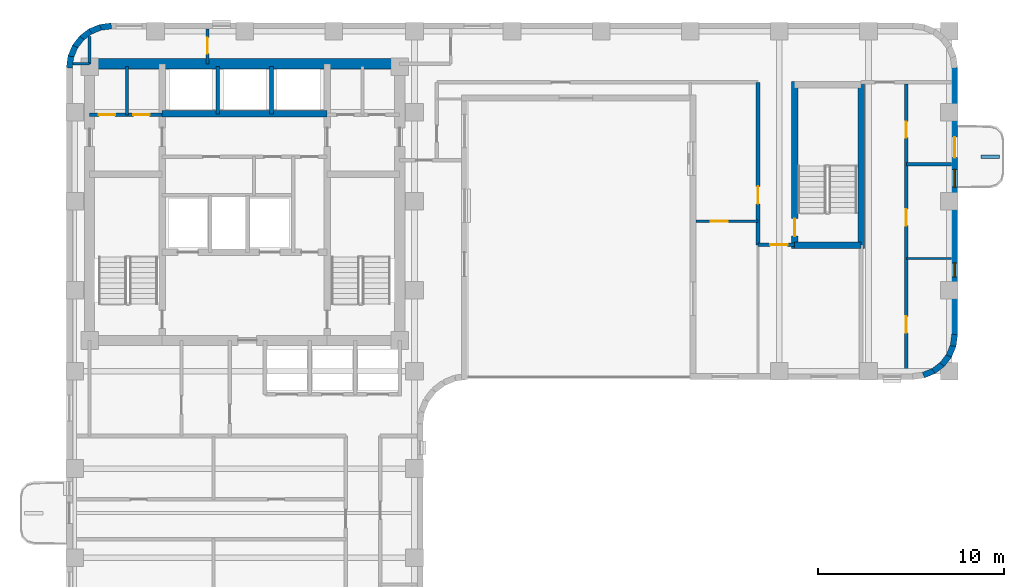
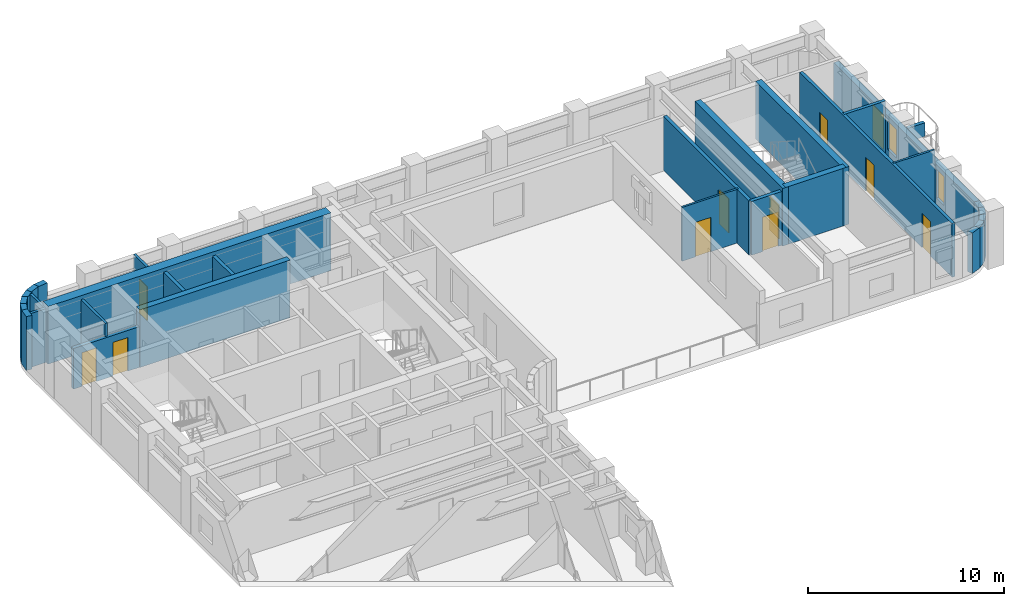
# One storey, part 5 of 9: 31 walls, 11 doors, 2 windows, 13 openings.
"""IFC4 building model written with IfcOpenShell, lengths in metres."""

from ifc_helpers import new_model, si_unit, direction, frame, frame_2d, origin, place, context, subcontext, project, spatial, rectangle, extrude, material, layer, layer_set, type_object, element, fill, save


model = new_model("IFC4")

# Units and contexts
model_context = context("Model", 3, precision=1e-05, world=origin(), true_north=direction((0.0, 1.0)))
body_context = subcontext(model_context, "Body", "Model", "MODEL_VIEW")
ifc_project = project(units=[si_unit("LENGTHUNIT", "METRE"), si_unit("AREAUNIT", "SQUARE_METRE"), si_unit("VOLUMEUNIT", "CUBIC_METRE"), si_unit("PLANEANGLEUNIT", "RADIAN"), si_unit("MASSUNIT", "GRAM", prefix="KILO")], contexts=[model_context])

# Site, building, storey
site_placement = place(None, origin())
site = spatial("IfcSite", under=ifc_project, at=site_placement, CompositionType="ELEMENT")
building_placement = place(site_placement, origin())
building = spatial("IfcBuilding", under=site, at=building_placement, Name="Orvandelia Arch Residences", CompositionType="ELEMENT")
storey_placement = place(building_placement, frame((0.0, 0.0, 154.0)))
storey = spatial("IfcBuildingStorey", under=building, at=storey_placement, Name="L40", CompositionType="ELEMENT", Elevation=154.0)

# Wall
ifc_material_1 = material(Name="Concrete C50/60", Category="concrete")
ifc_layer_1 = layer(ifc_material_1, 0.35009765625, Name="Concrete C50/60", Category="concrete")
ifc_layer_set_1 = layer_set([ifc_layer_1], Name="Concrete C50/60")
wall_type_1 = type_object("IfcWallType", Name="WL-CORE-350", PredefinedType="SHEAR", material=ifc_layer_set_1)
wall_1_placement = place(storey_placement, frame((9.9599609375, 43.10009765625, 0.0), z_axis=(0.0, 0.0, 1.0), x_axis=(1.0, 0.0, 0.0)))
element("IfcWall", 1, at=wall_1_placement, inside=storey, type_object=wall_type_1, Name="Core Shear Wall L40-HZ4", PredefinedType="SHEAR", context=body_context, shape_type="SweptSolid", body=[
    extrude(rectangle(XDim=8.880126953125, YDim=0.35009765625, at=frame_2d((4.43994140625, 0.0))), origin(), (0.0, 0.0, 1.0), 3.60009765625),
])

# Wall, opening, door
wall_2_placement = place(storey_placement, frame((44.02001953125, 35.864990234375, 0.0), z_axis=(0.0, 0.0, 1.0), x_axis=(0.0, 1.0, 0.0)))
wall_2 = element("IfcWall", 2, at=wall_2_placement, inside=storey, type_object=wall_type_1, Name="East Stair Core Shear Wall L40-W", PredefinedType="SHEAR", context=body_context, shape_type="SweptSolid", body=[
    extrude(rectangle(XDim=8.969970703125, YDim=0.35009765625, at=frame_2d((4.48486328125, 0.0))), origin(), (0.0, 0.0, 1.0), 3.60009765625),
])
opening_1_placement = place(wall_2_placement, frame((0.64990234375, 0.0, 0.0)))
opening_1 = element("IfcOpeningElement", 3, at=opening_1_placement, cuts=wall_2, Name="Opening D7", PredefinedType="OPENING", context=body_context, shape_type="SweptSolid", body=[
    extrude(rectangle(XDim=0.949951171875, YDim=2.10009765625, at=frame_2d((0.47509765625, 1.050048828125))), frame((0.0, 0.18505859375, 0.0), z_axis=(0.0, -1.0, 0.0), x_axis=(1.0, 0.0, 0.0)), (0.0, 0.0, 1.0), 0.3701171875),
])
ifc_material_2 = material(Name="Pressurised Stairwell Fire Door")
door_type_1 = type_object("IfcDoorType", Name="DR-STAIR-950", OperationType="NOTDEFINED", PredefinedType="DOOR", material=ifc_material_2)
door_1_placement = place(opening_1_placement, origin())
door_1 = element("IfcDoor", 4, at=door_1_placement, inside=storey, type_object=door_type_1, Name="East Stairwell ST-3 Fire Door L40", OperationType="SINGLE_SWING_LEFT", OverallHeight=2.10009765625, OverallWidth=0.949951171875, PredefinedType="DOOR", context=body_context, shape_type="SweptSolid", body=[
    extrude(rectangle(XDim=0.949951171875, YDim=2.10009765625, at=frame_2d((0.47509765625, 1.050048828125))), frame((0.0, 0.02490234375, 0.0), z_axis=(0.0, -1.0, 0.0), x_axis=(1.0, 0.0, 0.0)), (0.0, 0.0, 1.0), 0.050048828125),
])
fill(opening_1, door_1)

# Walls
wall_3_placement = place(storey_placement, frame((47.60009765625, 35.864990234375, 0.0), z_axis=(0.0, 0.0, 1.0), x_axis=(0.0, 1.0, 0.0)))
element("IfcWall", 5, at=wall_3_placement, inside=storey, type_object=wall_type_1, Name="East Stair Core Shear Wall L40-E", PredefinedType="SHEAR", context=body_context, shape_type="SweptSolid", body=[
    extrude(rectangle(XDim=8.969970703125, YDim=0.35009765625, at=frame_2d((4.48486328125, 0.0))), origin(), (0.0, 0.0, 1.0), 3.60009765625),
])
wall_4_placement = place(storey_placement, frame((44.02001953125, 36.0400390625, 0.0), z_axis=(0.0, 0.0, 1.0), x_axis=(1.0, 0.0, 0.0)))
element("IfcWall", 6, at=wall_4_placement, inside=storey, type_object=wall_type_1, Name="East Stair Core Shear Wall L40-S", PredefinedType="SHEAR", context=body_context, shape_type="SweptSolid", body=[
    extrude(rectangle(XDim=3.580078125, YDim=0.35009765625, at=frame_2d((1.7900390625, 0.0))), origin(), (0.0, 0.0, 1.0), 3.60009765625),
])
ifc_material_3 = material(Name="Concrete C60/75", Category="concrete")
ifc_layer_2 = layer(ifc_material_3, 0.550048828125, Name="Concrete C60/75", Category="concrete")
ifc_layer_set_2 = layer_set([ifc_layer_2], Name="Concrete C60/75")
wall_type_2 = type_object("IfcWallType", Name="WL-CORE-550", PredefinedType="SHEAR", material=ifc_layer_set_2)
wall_5_placement = place(storey_placement, frame((6.050048828125, 45.800048828125, 0.0), z_axis=(0.0, 0.0, 1.0), x_axis=(1.0, 0.0, 0.0)))
element("IfcWall", 7, at=wall_5_placement, inside=storey, type_object=wall_type_2, Name="Core Shear Wall L40-N", PredefinedType="SHEAR", context=body_context, shape_type="SweptSolid", body=[
    extrude(rectangle(XDim=16.699951171875, YDim=0.550048828125, at=frame_2d((8.35009765625, 0.0))), origin(), (0.0, 0.0, 1.0), 3.60009765625),
])

# Wall, opening, door
ifc_material_4 = material(Name="Fire-Rated Corridor Partition")
ifc_layer_3 = layer(ifc_material_4, 0.199951171875, Name="Fire-Rated Corridor Partition")
ifc_layer_set_3 = layer_set([ifc_layer_3], Name="Fire-Rated Corridor Partition")
wall_type_3 = type_object("IfcWallType", Name="WL-CORR-200", PredefinedType="PARTITIONING", material=ifc_layer_set_3)
wall_6_placement = place(storey_placement, frame((42.050048828125, 36.050048828125, 0.0), z_axis=(0.0, 0.0, 1.0), x_axis=(0.0, 1.0, 0.0)))
wall_6 = element("IfcWall", 8, at=wall_6_placement, inside=storey, type_object=wall_type_3, Name="Interior Partition Wall WL-L40-ENP-SW", PredefinedType="PARTITIONING", context=body_context, shape_type="SweptSolid", body=[
    extrude(rectangle(XDim=8.75, YDim=0.199951171875, at=frame_2d((4.375, 0.0))), origin(), (0.0, 0.0, 1.0), 3.360107421875),
])
opening_2_placement = place(wall_6_placement, frame((2.199951171875, 0.0, 0.0)))
opening_2 = element("IfcOpeningElement", 9, at=opening_2_placement, cuts=wall_6, Name="Opening D2", PredefinedType="OPENING", context=body_context, shape_type="SweptSolid", body=[
    extrude(rectangle(XDim=0.949951171875, YDim=2.14990234375, at=frame_2d((0.47509765625, 1.074951171875))), frame((0.0, 0.10986328125, 0.0), z_axis=(0.0, -1.0, 0.0), x_axis=(1.0, 0.0, 0.0)), (0.0, 0.0, 1.0), 0.219970703125),
])
ifc_material_5 = material(Name="Solid-Core Timber Interior Fire Door", Category="wood")
door_type_2 = type_object("IfcDoorType", Name="DR-APT-950", OperationType="NOTDEFINED", PredefinedType="DOOR", material=ifc_material_5)
door_2_placement = place(opening_2_placement, origin())
door_2 = element("IfcDoor", 10, at=door_2_placement, inside=storey, type_object=door_type_2, Name="DR-L40-VPE1", OperationType="SINGLE_SWING_LEFT", OverallHeight=2.14990234375, OverallWidth=0.949951171875, PredefinedType="DOOR", context=body_context, shape_type="SweptSolid", body=[
    extrude(rectangle(XDim=0.949951171875, YDim=2.14990234375, at=frame_2d((0.47509765625, 1.074951171875))), frame((0.0, 0.02490234375, 0.0), z_axis=(0.0, -1.0, 0.0), x_axis=(1.0, 0.0, 0.0)), (0.0, 0.0, 1.0), 0.050048828125),
])
fill(opening_2, door_2)

wall_7_placement = place(storey_placement, frame((42.050048828125, 36.050048828125, 0.0), z_axis=(0.0, 0.0, 1.0), x_axis=(1.0, 0.0, 0.0)))
wall_7 = element("IfcWall", 11, at=wall_7_placement, inside=storey, type_object=wall_type_3, Name="Interior Partition Wall WL-L40-ENP-SS", PredefinedType="PARTITIONING", context=body_context, shape_type="SweptSolid", body=[
    extrude(rectangle(XDim=1.969970703125, YDim=0.199951171875, at=frame_2d((0.98486328125, 0.0))), origin(), (0.0, 0.0, 1.0), 3.360107421875),
])
opening_3_placement = place(wall_7_placement, frame((0.64990234375, 0.0, 0.0)))
opening_3 = element("IfcOpeningElement", 12, at=opening_3_placement, cuts=wall_7, Name="Opening D2", PredefinedType="OPENING", context=body_context, shape_type="SweptSolid", body=[
    extrude(rectangle(XDim=0.949951171875, YDim=2.14990234375, at=frame_2d((0.47509765625, 1.074951171875))), frame((0.0, 0.10986328125, 0.0), z_axis=(0.0, -1.0, 0.0), x_axis=(1.0, 0.0, 0.0)), (0.0, 0.0, 1.0), 0.219970703125),
])
door_3_placement = place(opening_3_placement, origin())
door_3 = element("IfcDoor", 13, at=door_3_placement, inside=storey, type_object=door_type_2, Name="DR-L40-VPS3", OperationType="SINGLE_SWING_LEFT", OverallHeight=2.14990234375, OverallWidth=0.949951171875, PredefinedType="DOOR", context=body_context, shape_type="SweptSolid", body=[
    extrude(rectangle(XDim=0.949951171875, YDim=2.14990234375, at=frame_2d((0.47509765625, 1.074951171875))), frame((0.0, 0.02490234375, 0.0), z_axis=(0.0, -1.0, 0.0), x_axis=(1.0, 0.0, 0.0)), (0.0, 0.0, 1.0), 0.050048828125),
])
fill(opening_3, door_3)

# Walls
ifc_material_6 = material(Name="Precast concrete C40/50", Category="concrete")
ifc_layer_4 = layer(ifc_material_6, 0.320068359375, Name="Precast concrete C40/50", Category="concrete")
ifc_layer_set_4 = layer_set([ifc_layer_4], Name="Precast concrete C40/50")
wall_type_4 = type_object("IfcWallType", Name="WL-EXT-STONE-320", PredefinedType="STANDARD", material=ifc_layer_set_4)
for number, where, z_axis, x_axis, name in (
    (14, (4.95849609375, 45.5791015625, 0.0), (0.0, 0.0, 1.0), (0.130555323746, 0.9914410257, 0.0), "Coral-Limestone Precast Facade Wall L40-001"),
    (15, (5.029541015625, 46.159912109375, 0.0), (0.0, 0.0, 1.0), (0.382650053678, 0.92389335771, 0.0), "Coral-Limestone Precast Facade Wall L40-002"),
):
    element("IfcWall", number, at=place(storey_placement, frame(where, z_axis=z_axis, x_axis=x_axis)), inside=storey, type_object=wall_type_4, Name=name, PredefinedType="STANDARD", context=body_context, shape_type="SweptSolid", body=[
        extrude(rectangle(XDim=0.62646484375, YDim=0.320068359375, at=frame_2d((0.313232421875, 0.0))), origin(), (0.0, 0.0, 1.0), 3.360107421875),
    ])
wall_8_placement = place(storey_placement, frame((5.248291015625, 46.70263671875, 0.0), z_axis=(0.0, 0.0, 1.0), x_axis=(0.608938521285, 0.7932174212, 0.0)))
element("IfcWall", 16, at=wall_8_placement, inside=storey, type_object=wall_type_4, Name="Coral-Limestone Precast Facade Wall L40-003", PredefinedType="STANDARD", context=body_context, shape_type="SweptSolid", body=[
    extrude(rectangle(XDim=0.626708984375, YDim=0.320068359375, at=frame_2d((0.3134765625, 0.0))), origin(), (0.0, 0.0, 1.0), 3.360107421875),
])
wall_9_placement = place(storey_placement, frame((5.600341796875, 47.170166015625, 0.0), z_axis=(0.0, 0.0, 1.0), x_axis=(0.793405610854, 0.608693302629, 0.0)))
element("IfcWall", 17, at=wall_9_placement, inside=storey, type_object=wall_type_4, Name="Coral-Limestone Precast Facade Wall L40-004", PredefinedType="STANDARD", context=body_context, shape_type="SweptSolid", body=[
    extrude(rectangle(XDim=0.62646484375, YDim=0.320068359375, at=frame_2d((0.313232421875, 0.0))), origin(), (0.0, 0.0, 1.0), 3.360107421875),
])
wall_10_placement = place(storey_placement, frame((6.061279296875, 47.53076171875, 0.0), z_axis=(0.0, 0.0, 1.0), x_axis=(0.923836271867, 0.382787856107, 0.0)))
element("IfcWall", 18, at=wall_10_placement, inside=storey, type_object=wall_type_4, Name="Coral-Limestone Precast Facade Wall L40-005", PredefinedType="STANDARD", context=body_context, shape_type="SweptSolid", body=[
    extrude(rectangle(XDim=0.626220703125, YDim=0.320068359375, at=frame_2d((0.31298828125, 0.0))), origin(), (0.0, 0.0, 1.0), 3.360107421875),
])
wall_11_placement = place(storey_placement, frame((6.599609375, 47.759521484375, 0.0), z_axis=(0.0, 0.0, 1.0), x_axis=(0.991447664465, 0.130504898859, 0.0)))
element("IfcWall", 19, at=wall_11_placement, inside=storey, type_object=wall_type_4, Name="Coral-Limestone Precast Facade Wall L40-006", PredefinedType="STANDARD", context=body_context, shape_type="SweptSolid", body=[
    extrude(rectangle(XDim=0.626708984375, YDim=0.320068359375, at=frame_2d((0.3134765625, 0.0))), origin(), (0.0, 0.0, 1.0), 3.360107421875),
])

# Wall, openings, door, windows
wall_12_placement = place(storey_placement, frame((52.639892578125, 45.60009765625, 0.0), z_axis=(0.0, 0.0, 1.0), x_axis=(0.0, -1.0, 0.0)))
wall_12 = element("IfcWall", 20, at=wall_12_placement, inside=storey, type_object=wall_type_4, Name="Coral-Limestone Precast Facade Wall L40-014", PredefinedType="STANDARD", context=body_context, shape_type="SweptSolid", body=[
    extrude(rectangle(XDim=14.400146484375, YDim=0.320068359375, at=frame_2d((7.2001953125, 0.0))), origin(), (0.0, 0.0, 1.0), 2.5400390625),
])
opening_4_placement = place(wall_12_placement, frame((3.75, 0.0, 0.0)))
opening_4 = element("IfcOpeningElement", 21, at=opening_4_placement, cuts=wall_12, Name="Opening BD1", PredefinedType="OPENING", context=body_context, shape_type="SweptSolid", body=[
    extrude(rectangle(XDim=1.10009765625, YDim=2.14990234375, at=frame_2d((0.550048828125, 1.074951171875))), frame((0.0, 0.169921875, 0.0), z_axis=(0.0, -1.0, 0.0), x_axis=(1.0, 0.0, 0.0)), (0.0, 0.0, 1.0), 0.340087890625),
])
opening_5_placement = place(wall_12_placement, frame((10.51953125, 0.0, 0.449951171875)))
opening_5 = element("IfcOpeningElement", 22, at=opening_5_placement, cuts=wall_12, Name="Opening W11", PredefinedType="OPENING", context=body_context, shape_type="SweptSolid", body=[
    extrude(rectangle(XDim=0.75, YDim=1.800048828125, at=frame_2d((0.375, 0.89990234375))), frame((0.0, 0.169921875, 0.0), z_axis=(0.0, -1.0, 0.0), x_axis=(1.0, 0.0, 0.0)), (0.0, 0.0, 1.0), 0.340087890625),
])
opening_6_placement = place(wall_12_placement, frame((5.486083984375, 0.0, 0.449951171875)))
opening_6 = element("IfcOpeningElement", 23, at=opening_6_placement, cuts=wall_12, Name="Opening W4", PredefinedType="OPENING", context=body_context, shape_type="SweptSolid", body=[
    extrude(rectangle(XDim=0.949951171875, YDim=1.800048828125, at=frame_2d((0.47509765625, 0.89990234375))), frame((0.0, 0.169921875, 0.0), z_axis=(0.0, -1.0, 0.0), x_axis=(1.0, 0.0, 0.0)), (0.0, 0.0, 1.0), 0.340087890625),
])
ifc_material_7 = material(Name="Thermally Broken Aluminium Glazed Door", Category="aluminium")
door_type_3 = type_object("IfcDoorType", Name="DR-BAL-GLAZ-1100", OperationType="NOTDEFINED", PredefinedType="DOOR", material=ifc_material_7)
door_4_placement = place(opening_4_placement, origin())
door_4 = element("IfcDoor", 24, at=door_4_placement, inside=storey, type_object=door_type_3, Name="Tree Balcony Glazed Door BAL-L40-E1", OperationType="SINGLE_SWING_LEFT", OverallHeight=2.14990234375, OverallWidth=1.10009765625, PredefinedType="DOOR", context=body_context, shape_type="SweptSolid", body=[
    extrude(rectangle(XDim=1.10009765625, YDim=2.14990234375, at=frame_2d((0.550048828125, 1.074951171875))), frame((0.0, 0.02490234375, 0.0), z_axis=(0.0, -1.0, 0.0), x_axis=(1.0, 0.0, 0.0)), (0.0, 0.0, 1.0), 0.050048828125),
])
fill(opening_4, door_4)
ifc_material_8 = material(Name="Tempered Low-E Insulated Glazing", Category="glass")
window_type_1 = type_object("IfcWindowType", Name="WIN-BED-0750x1800", PartitioningType="SINGLE_PANEL", PredefinedType="WINDOW", material=ifc_material_8)
window_1_placement = place(opening_5_placement, origin())
window_1 = element("IfcWindow", 25, at=window_1_placement, inside=storey, type_object=window_type_1, Name="Recessed Punched Window L40-004", OverallHeight=1.800048828125, OverallWidth=0.75, PartitioningType="SINGLE_PANEL", PredefinedType="WINDOW", context=body_context, shape_type="SweptSolid", body=[
    extrude(rectangle(XDim=0.75, YDim=1.800048828125, at=frame_2d((0.375, 0.89990234375))), frame((0.0, 0.030029296875, 0.0), z_axis=(0.0, -1.0, 0.0), x_axis=(1.0, 0.0, 0.0)), (0.0, 0.0, 1.0), 0.06005859375),
])
fill(opening_5, window_1)
window_type_2 = type_object("IfcWindowType", Name="WIN-RES-0950x1800", PartitioningType="SINGLE_PANEL", PredefinedType="WINDOW", material=ifc_material_8)
window_2_placement = place(opening_6_placement, origin())
window_2 = element("IfcWindow", 26, at=window_2_placement, inside=storey, type_object=window_type_2, Name="Recessed Punched Window L40-005", OverallHeight=1.800048828125, OverallWidth=0.949951171875, PartitioningType="SINGLE_PANEL", PredefinedType="WINDOW", context=body_context, shape_type="SweptSolid", body=[
    extrude(rectangle(XDim=0.949951171875, YDim=1.800048828125, at=frame_2d((0.47509765625, 0.89990234375))), frame((0.0, 0.030029296875, 0.0), z_axis=(0.0, -1.0, 0.0), x_axis=(1.0, 0.0, 0.0)), (0.0, 0.0, 1.0), 0.06005859375),
])
fill(opening_6, window_2)

# Walls
wall_13_placement = place(storey_placement, frame((52.641357421875, 31.220947265625, 0.0), z_axis=(0.0, 0.0, 1.0), x_axis=(-0.130504898859, -0.991447664465, 0.0)))
element("IfcWall", 27, at=wall_13_placement, inside=storey, type_object=wall_type_4, Name="Coral-Limestone Precast Facade Wall L40-015", PredefinedType="STANDARD", context=body_context, shape_type="SweptSolid", body=[
    extrude(rectangle(XDim=0.626708984375, YDim=0.320068359375, at=frame_2d((0.3134765625, 0.0))), origin(), (0.0, 0.0, 1.0), 2.5400390625),
])
wall_14_placement = place(storey_placement, frame((52.5703125, 30.639892578125, 0.0), z_axis=(0.0, 0.0, 1.0), x_axis=(-0.382455093999, -0.923974080304, 0.0)))
element("IfcWall", 28, at=wall_14_placement, inside=storey, type_object=wall_type_4, Name="Coral-Limestone Precast Facade Wall L40-016", PredefinedType="STANDARD", context=body_context, shape_type="SweptSolid", body=[
    extrude(rectangle(XDim=0.626220703125, YDim=0.320068359375, at=frame_2d((0.31298828125, 0.0))), origin(), (0.0, 0.0, 1.0), 2.5400390625),
])
wall_15_placement = place(storey_placement, frame((52.3515625, 30.097412109375, 0.0), z_axis=(0.0, 0.0, 1.0), x_axis=(-0.608693302629, -0.793405610854, 0.0)))
element("IfcWall", 29, at=wall_15_placement, inside=storey, type_object=wall_type_4, Name="Coral-Limestone Precast Facade Wall L40-017", PredefinedType="STANDARD", context=body_context, shape_type="SweptSolid", body=[
    extrude(rectangle(XDim=0.62646484375, YDim=0.320068359375, at=frame_2d((0.313232421875, 0.0))), origin(), (0.0, 0.0, 1.0), 2.5400390625),
])
wall_16_placement = place(storey_placement, frame((51.999755859375, 29.6298828125, 0.0), z_axis=(0.0, 0.0, 1.0), x_axis=(-0.7932174212, -0.608938521285, 0.0)))
element("IfcWall", 30, at=wall_16_placement, inside=storey, type_object=wall_type_4, Name="Coral-Limestone Precast Facade Wall L40-018", PredefinedType="STANDARD", context=body_context, shape_type="SweptSolid", body=[
    extrude(rectangle(XDim=0.626708984375, YDim=0.320068359375, at=frame_2d((0.3134765625, 0.0))), origin(), (0.0, 0.0, 1.0), 2.5400390625),
])
wall_17_placement = place(storey_placement, frame((51.538818359375, 29.269287109375, 0.0), z_axis=(0.0, 0.0, 1.0), x_axis=(-0.92389335771, -0.382650053678, 0.0)))
element("IfcWall", 31, at=wall_17_placement, inside=storey, type_object=wall_type_4, Name="Coral-Limestone Precast Facade Wall L40-019", PredefinedType="STANDARD", context=body_context, shape_type="SweptSolid", body=[
    extrude(rectangle(XDim=0.62646484375, YDim=0.320068359375, at=frame_2d((0.313232421875, 0.0))), origin(), (0.0, 0.0, 1.0), 2.5400390625),
])

# Wall, opening, door
ifc_material_9 = material(Name="Lightweight Gypsum Stud Partition")
ifc_layer_5 = layer(ifc_material_9, 0.1201171875, Name="Lightweight Gypsum Stud Partition")
ifc_layer_set_5 = layer_set([ifc_layer_5], Name="Lightweight Gypsum Stud Partition")
wall_type_5 = type_object("IfcWallType", Name="WL-PART-120", PredefinedType="PARTITIONING", material=ifc_layer_set_5)
wall_18_placement = place(storey_placement, frame((38.719970703125, 37.320068359375, 0.0), z_axis=(0.0, 0.0, 1.0), x_axis=(1.0, 0.0, 0.0)))
wall_18 = element("IfcWall", 32, at=wall_18_placement, inside=storey, type_object=wall_type_5, Name="Interior Partition Wall WL-L40-VPE-M", PredefinedType="PARTITIONING", context=body_context, shape_type="SweptSolid", body=[
    extrude(rectangle(XDim=3.330078125, YDim=0.1201171875, at=frame_2d((1.6650390625, 0.0))), origin(), (0.0, 0.0, 1.0), 3.360107421875),
])
opening_7_placement = place(wall_18_placement, frame((0.7900390625, 0.0, 0.0)))
opening_7 = element("IfcOpeningElement", 33, at=opening_7_placement, cuts=wall_18, Name="Opening D3", PredefinedType="OPENING", context=body_context, shape_type="SweptSolid", body=[
    extrude(rectangle(XDim=0.89990234375, YDim=2.14990234375, at=frame_2d((0.449951171875, 1.074951171875))), frame((0.0, 0.070068359375, 0.0), z_axis=(0.0, -1.0, 0.0), x_axis=(1.0, 0.0, 0.0)), (0.0, 0.0, 1.0), 0.14013671875),
])
ifc_material_10 = material(Name="Engineered Timber Flush Door", Category="wood")
door_type_4 = type_object("IfcDoorType", Name="DR-INT-900", OperationType="NOTDEFINED", PredefinedType="DOOR", material=ifc_material_10)
door_5_placement = place(opening_7_placement, origin())
door_5 = element("IfcDoor", 34, at=door_5_placement, inside=storey, type_object=door_type_4, Name="DR-L40-VPE2", OperationType="SINGLE_SWING_LEFT", OverallHeight=2.14990234375, OverallWidth=0.89990234375, PredefinedType="DOOR", context=body_context, shape_type="SweptSolid", body=[
    extrude(rectangle(XDim=0.89990234375, YDim=2.14990234375, at=frame_2d((0.449951171875, 1.074951171875))), frame((0.0, 0.02490234375, 0.0), z_axis=(0.0, -1.0, 0.0), x_axis=(1.0, 0.0, 0.0)), (0.0, 0.0, 1.0), 0.050048828125),
])
fill(opening_7, door_5)

# Walls
wall_19_placement = place(storey_placement, frame((50.04296875, 35.31591796875, 0.0), z_axis=(0.0, 0.0, 1.0), x_axis=(1.0, 0.0, 0.0)))
element("IfcWall", 35, at=wall_19_placement, inside=storey, type_object=wall_type_5, Name="Interior Partition Wall WL-L40-U04-H1", PredefinedType="PARTITIONING", context=body_context, shape_type="SweptSolid", body=[
    extrude(rectangle(XDim=2.43701171875, YDim=0.1201171875, at=frame_2d((1.218505859375, 0.0))), origin(), (0.0, 0.0, 1.0), 3.360107421875),
])
ifc_material_11 = material(Name="Acoustic Gypsum Stud Partition")
ifc_layer_6 = layer(ifc_material_11, 0.14990234375, Name="Acoustic Gypsum Stud Partition")
ifc_layer_set_6 = layer_set([ifc_layer_6], Name="Acoustic Gypsum Stud Partition")
wall_type_6 = type_object("IfcWallType", Name="WL-PART-150", PredefinedType="PARTITIONING", material=ifc_layer_set_6)
wall_20_placement = place(storey_placement, frame((8.06005859375, 43.050048828125, 0.0), z_axis=(0.0, 0.0, 1.0), x_axis=(0.0, 1.0, 0.0)))
element("IfcWall", 36, at=wall_20_placement, inside=storey, type_object=wall_type_6, Name="Interior Partition Wall WL-L40-CRELC-M", PredefinedType="PARTITIONING", context=body_context, shape_type="SweptSolid", body=[
    extrude(rectangle(XDim=2.599853515625, YDim=0.14990234375, at=frame_2d((1.2998046875, 0.0))), origin(), (0.0, 0.0, 1.0), 3.360107421875),
])
wall_21_placement = place(storey_placement, frame((5.159912109375, 45.800048828125, 0.0), z_axis=(0.0, 0.0, 1.0), x_axis=(1.0, 0.0, 0.0)))
element("IfcWall", 37, at=wall_21_placement, inside=storey, type_object=wall_type_6, Name="Interior Partition Wall WL-L40-WF-N", PredefinedType="PARTITIONING", context=body_context, shape_type="SweptSolid", body=[
    extrude(rectangle(XDim=0.89013671875, YDim=0.14990234375, at=frame_2d((0.445068359375, 0.0))), origin(), (0.0, 0.0, 1.0), 3.360107421875),
])
wall_22_placement = place(storey_placement, frame((6.050048828125, 45.800048828125, 0.0), z_axis=(0.0, 0.0, 1.0), x_axis=(0.0, 1.0, 0.0)))
element("IfcWall", 38, at=wall_22_placement, inside=storey, type_object=wall_type_6, Name="Interior Partition Wall WL-L40-NC-W6", PredefinedType="PARTITIONING", context=body_context, shape_type="SweptSolid", body=[
    extrude(rectangle(XDim=1.4599609375, YDim=0.14990234375, at=frame_2d((0.72998046875, 0.0))), origin(), (0.0, 0.0, 1.0), 3.360107421875),
])

# Wall, opening, door
wall_23_placement = place(storey_placement, frame((12.39990234375, 45.800048828125, 0.0), z_axis=(0.0, 0.0, 1.0), x_axis=(0.0, 1.0, 0.0)))
wall_23 = element("IfcWall", 39, at=wall_23_placement, inside=storey, type_object=wall_type_6, Name="Interior Partition Wall WL-L40-NC-M", PredefinedType="PARTITIONING", context=body_context, shape_type="SweptSolid", body=[
    extrude(rectangle(XDim=1.8798828125, YDim=0.14990234375, at=frame_2d((0.93994140625, 0.0))), origin(), (0.0, 0.0, 1.0), 3.360107421875),
])
opening_8_placement = place(wall_23_placement, frame((0.550048828125, 0.0, 0.0)))
opening_8 = element("IfcOpeningElement", 40, at=opening_8_placement, cuts=wall_23, Name="Opening D4", PredefinedType="OPENING", context=body_context, shape_type="SweptSolid", body=[
    extrude(rectangle(XDim=0.860107421875, YDim=2.10009765625, at=frame_2d((0.43017578125, 1.050048828125))), frame((0.0, 0.0849609375, 0.0), z_axis=(0.0, -1.0, 0.0), x_axis=(1.0, 0.0, 0.0)), (0.0, 0.0, 1.0), 0.169921875),
])
ifc_material_12 = material(Name="Moisture-Sealed Timber Bathroom Door", Category="wood")
door_type_5 = type_object("IfcDoorType", Name="DR-WET-900", OperationType="NOTDEFINED", PredefinedType="DOOR", material=ifc_material_12)
door_6_placement = place(opening_8_placement, origin())
door_6 = element("IfcDoor", 41, at=door_6_placement, inside=storey, type_object=door_type_5, Name="DR-L40-NCS1", OperationType="SINGLE_SWING_LEFT", OverallHeight=2.10009765625, OverallWidth=0.860107421875, PredefinedType="DOOR", context=body_context, shape_type="SweptSolid", body=[
    extrude(rectangle(XDim=0.860107421875, YDim=2.10009765625, at=frame_2d((0.43017578125, 1.050048828125))), frame((0.0, 0.02490234375, 0.0), z_axis=(0.0, -1.0, 0.0), x_axis=(1.0, 0.0, 0.0)), (0.0, 0.0, 1.0), 0.050048828125),
])
fill(opening_8, door_6)

# Wall
ifc_layer_7 = layer(ifc_material_6, 0.199951171875, Name="Precast concrete C40/50", Category="concrete")
ifc_layer_set_7 = layer_set([ifc_layer_7], Name="Precast concrete C40/50")
wall_type_7 = type_object("IfcWallType", Name="WL-PLANTER-200", PredefinedType="MOVABLE", material=ifc_layer_set_7)
wall_24_placement = place(storey_placement, frame((54.050048828125, 40.800048828125, 0.0), z_axis=(0.0, 0.0, 1.0), x_axis=(1.0, 0.0, 0.0)))
element("IfcWall", 42, at=wall_24_placement, inside=storey, type_object=wall_type_7, Name="Balcony Precast Tree Planter BAL-L40-E1", PredefinedType="MOVABLE", context=body_context, shape_type="SweptSolid", body=[
    extrude(rectangle(XDim=1.0, YDim=0.199951171875, at=frame_2d((0.5, 0.0))), origin(), (0.0, 0.0, 1.0), 0.85009765625),
])

# Wall, openings, doors
ifc_material_13 = material(Name="Fire-Rated Shaft Enclosure Wall")
ifc_layer_8 = layer(ifc_material_13, 0.199951171875, Name="Fire-Rated Shaft Enclosure Wall")
ifc_layer_set_8 = layer_set([ifc_layer_8], Name="Fire-Rated Shaft Enclosure Wall")
wall_type_8 = type_object("IfcWallType", Name="WL-SHAFT-200", PredefinedType="POLYGONAL", material=ifc_layer_set_8)
wall_25_placement = place(storey_placement, frame((6.050048828125, 43.050048828125, 0.0), z_axis=(0.0, 0.0, 1.0), x_axis=(1.0, 0.0, 0.0)))
wall_25 = element("IfcWall", 43, at=wall_25_placement, inside=storey, type_object=wall_type_8, Name="Interior Partition Wall WL-L40-HLW-N", PredefinedType="POLYGONAL", context=body_context, shape_type="SweptSolid", body=[
    extrude(rectangle(XDim=3.909912109375, YDim=0.199951171875, at=frame_2d((1.955078125, 0.0))), origin(), (0.0, 0.0, 1.0), 2.5400390625),
])
opening_9_placement = place(wall_25_placement, frame((0.5, 0.0, 0.0)))
opening_9 = element("IfcOpeningElement", 44, at=opening_9_placement, cuts=wall_25, Name="Opening D5", PredefinedType="OPENING", context=body_context, shape_type="SweptSolid", body=[
    extrude(rectangle(XDim=0.8798828125, YDim=2.10009765625, at=frame_2d((0.43994140625, 1.050048828125))), frame((0.0, 0.10986328125, 0.0), z_axis=(0.0, -1.0, 0.0), x_axis=(1.0, 0.0, 0.0)), (0.0, 0.0, 1.0), 0.219970703125),
])
opening_10_placement = place(wall_25_placement, frame((2.35009765625, 0.0, 0.0)))
opening_10 = element("IfcOpeningElement", 45, at=opening_10_placement, cuts=wall_25, Name="Opening D5", PredefinedType="OPENING", context=body_context, shape_type="SweptSolid", body=[
    extrude(rectangle(XDim=0.8798828125, YDim=2.10009765625, at=frame_2d((0.43994140625, 1.050048828125))), frame((0.0, 0.10986328125, 0.0), z_axis=(0.0, -1.0, 0.0), x_axis=(1.0, 0.0, 0.0)), (0.0, 0.0, 1.0), 0.219970703125),
])
ifc_material_14 = material(Name="Painted Galvanised Steel Service Door", Category="steel")
door_type_6 = type_object("IfcDoorType", Name="DR-SRV-880", OperationType="NOTDEFINED", PredefinedType="DOOR", material=ifc_material_14)
door_7_placement = place(opening_9_placement, origin())
door_7 = element("IfcDoor", 46, at=door_7_placement, inside=storey, type_object=door_type_6, Name="DR-L40-CRELC1", OperationType="SINGLE_SWING_LEFT", OverallHeight=2.10009765625, OverallWidth=0.8798828125, PredefinedType="DOOR", context=body_context, shape_type="SweptSolid", body=[
    extrude(rectangle(XDim=0.8798828125, YDim=2.10009765625, at=frame_2d((0.43994140625, 1.050048828125))), frame((0.0, 0.02490234375, 0.0), z_axis=(0.0, -1.0, 0.0), x_axis=(1.0, 0.0, 0.0)), (0.0, 0.0, 1.0), 0.050048828125),
])
fill(opening_9, door_7)
door_8_placement = place(opening_10_placement, origin())
door_8 = element("IfcDoor", 47, at=door_8_placement, inside=storey, type_object=door_type_6, Name="DR-L40-CRELC2", OperationType="SINGLE_SWING_RIGHT", OverallHeight=2.10009765625, OverallWidth=0.8798828125, PredefinedType="DOOR", context=body_context, shape_type="SweptSolid", body=[
    extrude(rectangle(XDim=0.8798828125, YDim=2.10009765625, at=frame_2d((0.43994140625, 1.050048828125))), frame((0.0, 0.02490234375, 0.0), z_axis=(0.0, -1.0, 0.0), x_axis=(1.0, 0.0, 0.0)), (0.0, 0.0, 1.0), 0.050048828125),
])
fill(opening_10, door_8)

# Walls
for number, where, z_axis, x_axis, name in (
    (48, (12.949951171875, 43.10009765625, 0.0), (0.0, 0.0, 1.0), (0.0, 1.0, 0.0), "Interior Partition Wall WL-L40-PHD1"),
    (49, (15.85009765625, 43.10009765625, 0.0), (0.0, 0.0, 1.0), (0.0, 1.0, 0.0), "Interior Partition Wall WL-L40-PHD2"),
):
    element("IfcWall", number, at=place(storey_placement, frame(where, z_axis=z_axis, x_axis=x_axis)), inside=storey, type_object=wall_type_8, Name=name, PredefinedType="POLYGONAL", context=body_context, shape_type="SweptSolid", body=[
        extrude(rectangle(XDim=2.5498046875, YDim=0.199951171875, at=frame_2d((1.27490234375, 0.0))), origin(), (0.0, 0.0, 1.0), 3.360107421875),
    ])

# Wall, openings, doors
ifc_material_15 = material(Name="Moisture-Resistant Plumbing Wall")
ifc_layer_9 = layer(ifc_material_15, 0.179931640625, Name="Moisture-Resistant Plumbing Wall")
ifc_layer_set_9 = layer_set([ifc_layer_9], Name="Moisture-Resistant Plumbing Wall")
wall_type_9 = type_object("IfcWallType", Name="WL-WET-180", PredefinedType="PLUMBINGWALL", material=ifc_layer_set_9)
wall_26_placement = place(storey_placement, frame((50.04296875, 29.1201171875, 0.0), z_axis=(0.0, 0.0, 1.0), x_axis=(0.0, 1.0, 0.0)))
wall_26 = element("IfcWall", 50, at=wall_26_placement, inside=storey, type_object=wall_type_9, Name="Interior Partition Wall WL-L40-U04-VT", PredefinedType="PLUMBINGWALL", context=body_context, shape_type="SweptSolid", body=[
    extrude(rectangle(XDim=15.579833984375, YDim=0.179931640625, at=frame_2d((7.7900390625, 0.0))), origin(), (0.0, 0.0, 1.0), 3.360107421875),
])
opening_11_placement = place(wall_26_placement, frame((2.1826171875, 0.0, 0.0)))
opening_11 = element("IfcOpeningElement", 51, at=opening_11_placement, cuts=wall_26, Name="Opening D3", PredefinedType="OPENING", context=body_context, shape_type="SweptSolid", body=[
    extrude(rectangle(XDim=0.89990234375, YDim=2.14990234375, at=frame_2d((0.449951171875, 1.074951171875))), frame((0.0, 0.10009765625, 0.0), z_axis=(0.0, -1.0, 0.0), x_axis=(1.0, 0.0, 0.0)), (0.0, 0.0, 1.0), 0.199951171875),
])
opening_12_placement = place(wall_26_placement, frame((7.958740234375, 0.0, 0.0)))
opening_12 = element("IfcOpeningElement", 52, at=opening_12_placement, cuts=wall_26, Name="Opening D3", PredefinedType="OPENING", context=body_context, shape_type="SweptSolid", body=[
    extrude(rectangle(XDim=0.89990234375, YDim=2.14990234375, at=frame_2d((0.449951171875, 1.074951171875))), frame((0.0, 0.10009765625, 0.0), z_axis=(0.0, -1.0, 0.0), x_axis=(1.0, 0.0, 0.0)), (0.0, 0.0, 1.0), 0.199951171875),
])
opening_13_placement = place(wall_26_placement, frame((12.710693359375, 0.0, 0.0)))
opening_13 = element("IfcOpeningElement", 53, at=opening_13_placement, cuts=wall_26, Name="Opening D4", PredefinedType="OPENING", context=body_context, shape_type="SweptSolid", body=[
    extrude(rectangle(XDim=0.860107421875, YDim=2.10009765625, at=frame_2d((0.43017578125, 1.050048828125))), frame((0.0, 0.10009765625, 0.0), z_axis=(0.0, -1.0, 0.0), x_axis=(1.0, 0.0, 0.0)), (0.0, 0.0, 1.0), 0.199951171875),
])
door_9_placement = place(opening_11_placement, origin())
door_9 = element("IfcDoor", 54, at=door_9_placement, inside=storey, type_object=door_type_4, Name="DR-L40-U04-BD1", OperationType="SINGLE_SWING_RIGHT", OverallHeight=2.14990234375, OverallWidth=0.89990234375, PredefinedType="DOOR", context=body_context, shape_type="SweptSolid", body=[
    extrude(rectangle(XDim=0.89990234375, YDim=2.14990234375, at=frame_2d((0.449951171875, 1.074951171875))), frame((0.0, 0.02490234375, 0.0), z_axis=(0.0, -1.0, 0.0), x_axis=(1.0, 0.0, 0.0)), (0.0, 0.0, 1.0), 0.050048828125),
])
fill(opening_11, door_9)
door_10_placement = place(opening_12_placement, origin())
door_10 = element("IfcDoor", 55, at=door_10_placement, inside=storey, type_object=door_type_4, Name="DR-L40-U04-KIT", OperationType="SINGLE_SWING_LEFT", OverallHeight=2.14990234375, OverallWidth=0.89990234375, PredefinedType="DOOR", context=body_context, shape_type="SweptSolid", body=[
    extrude(rectangle(XDim=0.89990234375, YDim=2.14990234375, at=frame_2d((0.449951171875, 1.074951171875))), frame((0.0, 0.02490234375, 0.0), z_axis=(0.0, -1.0, 0.0), x_axis=(1.0, 0.0, 0.0)), (0.0, 0.0, 1.0), 0.050048828125),
])
fill(opening_12, door_10)
door_11_placement = place(opening_13_placement, origin())
door_11 = element("IfcDoor", 56, at=door_11_placement, inside=storey, type_object=door_type_5, Name="DR-L40-U04-BTH", OperationType="SINGLE_SWING_RIGHT", OverallHeight=2.10009765625, OverallWidth=0.860107421875, PredefinedType="DOOR", context=body_context, shape_type="SweptSolid", body=[
    extrude(rectangle(XDim=0.860107421875, YDim=2.10009765625, at=frame_2d((0.43017578125, 1.050048828125))), frame((0.0, 0.02490234375, 0.0), z_axis=(0.0, -1.0, 0.0), x_axis=(1.0, 0.0, 0.0)), (0.0, 0.0, 1.0), 0.050048828125),
])
fill(opening_13, door_11)

# Wall
wall_27_placement = place(storey_placement, frame((50.04296875, 40.383056640625, 0.0), z_axis=(0.0, 0.0, 1.0), x_axis=(1.0, 0.0, 0.0)))
element("IfcWall", 57, at=wall_27_placement, inside=storey, type_object=wall_type_9, Name="Interior Partition Wall WL-L40-U04-H2", PredefinedType="PLUMBINGWALL", context=body_context, shape_type="SweptSolid", body=[
    extrude(rectangle(XDim=2.43701171875, YDim=0.179931640625, at=frame_2d((1.218505859375, 0.0))), origin(), (0.0, 0.0, 1.0), 3.360107421875),
])

save(model, "model.ifc")
